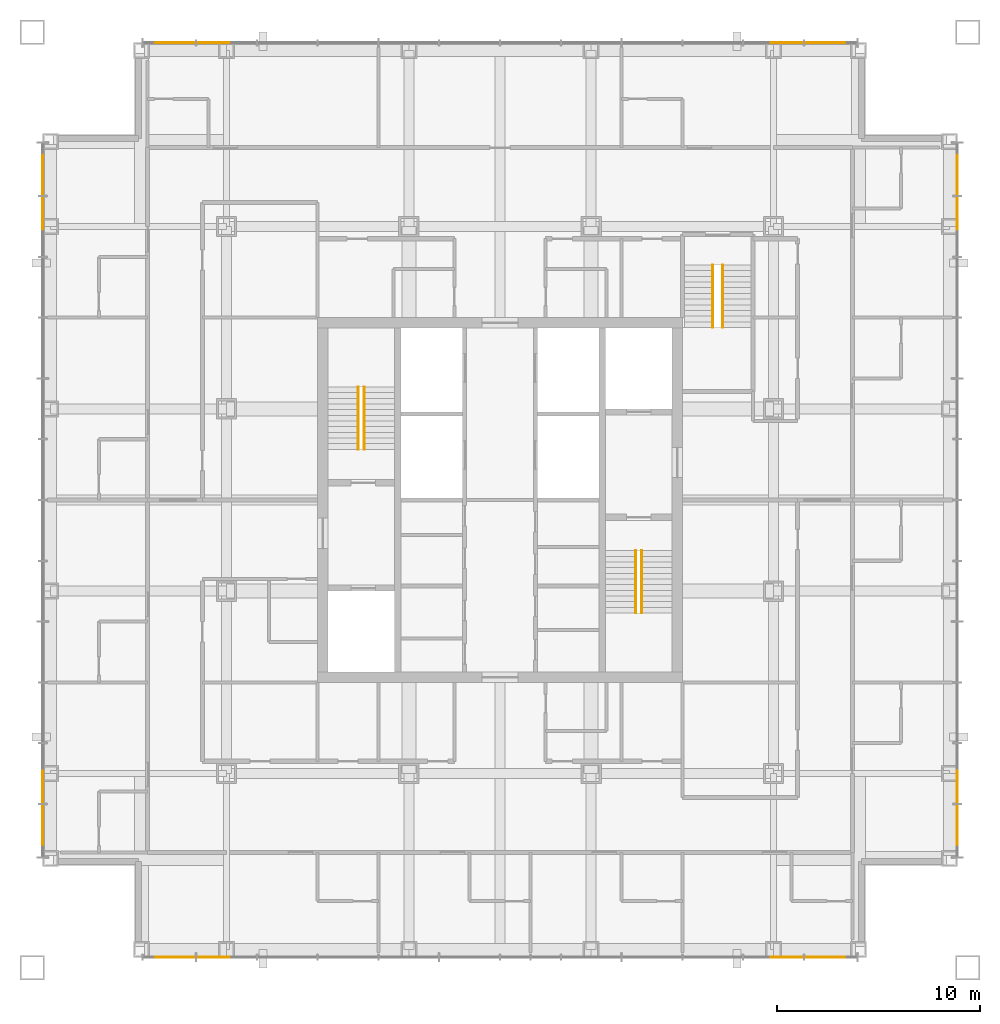
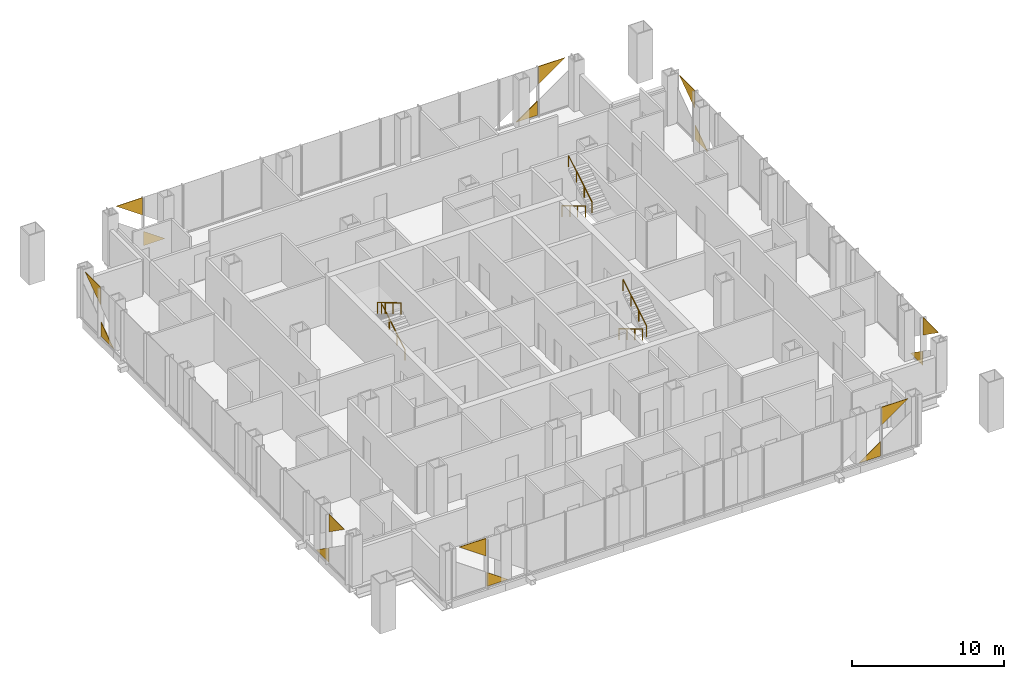
# One storey, part 11 of 11: 16 coverings, 6 railings.
"""IFC4 building model written with IfcOpenShell, lengths in metres."""

from ifc_helpers import new_model, si_unit, direction, frame, origin, origin_2d, place, context, subcontext, project, spatial, polyline, circle, outline, extrude, material, layer, layer_set, type_object, element, save


model = new_model("IFC4")

# Units and contexts
model_context = context("Model", 3, precision=1e-05, world=origin(), true_north=direction((0.0, 1.0)))
body_context = subcontext(model_context, "Body", "Model", "MODEL_VIEW")
ifc_project = project(units=[si_unit("LENGTHUNIT", "METRE"), si_unit("AREAUNIT", "SQUARE_METRE"), si_unit("VOLUMEUNIT", "CUBIC_METRE"), si_unit("PLANEANGLEUNIT", "RADIAN"), si_unit("MASSUNIT", "GRAM", prefix="KILO")], contexts=[model_context])

# Site, building, storey
site_placement = place(None, origin())
site = spatial("IfcSite", under=ifc_project, at=site_placement, CompositionType="ELEMENT")
building_placement = place(site_placement, origin())
building = spatial("IfcBuilding", under=site, at=building_placement, Name="Malebo Sky Hospital", CompositionType="ELEMENT")
storey_placement = place(building_placement, frame((0.0, 0.0, 201.0)))
storey = spatial("IfcBuildingStorey", under=building, at=storey_placement, Name="L48", CompositionType="ELEMENT", Elevation=201.0)

# Coverings
ifc_material_1 = material(Name="Anodised aluminium, natural silver insulated infill panel", Category="aluminium")
ifc_layer = layer(ifc_material_1, 0.0400390625)
ifc_layer_set = layer_set([ifc_layer], Name="BRACE INFILL PANEL 40")
covering_type = type_object("IfcCoveringType", Name="BRACE INFILL PANEL 40", PredefinedType="CLADDING", material=ifc_layer_set)
covering_1_placement = place(storey_placement, frame((43.958251953125, 84.574951171875, 2.5791015625), z_axis=(0.0, 0.0, 1.0), x_axis=(1.0, 0.0, 0.0)))
element("IfcCovering", 1, at=covering_1_placement, inside=storey, type_object=covering_type, Name="Brace infill panel 1.1", PredefinedType="CLADDING", context=body_context, shape_type="SweptSolid", body=[
    extrude(outline(polyline([(1.004150390625, 0.0), (1.004150390625, 1.410888671875), (-1.00439453125, 1.410888671875), (1.004150390625, 0.0)])), frame((0.0, 0.02001953125, 0.0), z_axis=(0.0, -1.0, 0.0), x_axis=(1.0, 0.0, 0.0)), (0.0, 0.0, 1.0), 0.0400390625),
])
covering_2_placement = place(storey_placement, frame((45.8505859375, 84.574951171875, 0.10009765625), z_axis=(0.0, 0.0, 1.0), x_axis=(1.0, 0.0, 0.0)))
element("IfcCovering", 2, at=covering_2_placement, inside=storey, type_object=covering_type, Name="Brace infill panel 2.1", PredefinedType="CLADDING", context=body_context, shape_type="SweptSolid", body=[
    extrude(outline(polyline([(-0.81298828125, 0.0), (0.81298828125, 0.0), (-0.81298828125, 1.14208984375), (-0.81298828125, 0.0)])), frame((0.0, 0.02001953125, 0.0), z_axis=(0.0, -1.0, 0.0), x_axis=(1.0, 0.0, 0.0)), (0.0, 0.0, 1.0), 0.0400390625),
])
covering_3_placement = place(storey_placement, frame((74.1494140625, 84.574951171875, 0.10009765625), z_axis=(0.0, 0.0, 1.0), x_axis=(1.0, 0.0, 0.0)))
element("IfcCovering", 3, at=covering_3_placement, inside=storey, type_object=covering_type, Name="Brace infill panel 11.1", PredefinedType="CLADDING", context=body_context, shape_type="SweptSolid", body=[
    extrude(outline(polyline([(-0.81298828125, 0.0), (0.81298828125, 0.0), (0.81298828125, 1.14208984375), (-0.81298828125, 0.0)])), frame((0.0, 0.02001953125, 0.0), z_axis=(0.0, -1.0, 0.0), x_axis=(1.0, 0.0, 0.0)), (0.0, 0.0, 1.0), 0.0400390625),
])
covering_4_placement = place(storey_placement, frame((76.041748046875, 84.574951171875, 2.5791015625), z_axis=(0.0, 0.0, 1.0), x_axis=(1.0, 0.0, 0.0)))
element("IfcCovering", 4, at=covering_4_placement, inside=storey, type_object=covering_type, Name="Brace infill panel 12.1", PredefinedType="CLADDING", context=body_context, shape_type="SweptSolid", body=[
    extrude(outline(polyline([(-1.004150390625, 0.0), (1.00439453125, 1.410888671875), (-1.004150390625, 1.410888671875), (-1.004150390625, 0.0)])), frame((0.0, 0.02001953125, 0.0), z_axis=(0.0, -1.0, 0.0), x_axis=(1.0, 0.0, 0.0)), (0.0, 0.0, 1.0), 0.0400390625),
])
covering_5_placement = place(storey_placement, frame((37.425048828125, 45.958251953125, 2.5791015625), z_axis=(0.0, 0.0, 1.0), x_axis=(0.0, 1.0, 0.0)))
element("IfcCovering", 5, at=covering_5_placement, inside=storey, type_object=covering_type, Name="Brace infill panel 1.1", PredefinedType="CLADDING", context=body_context, shape_type="SweptSolid", body=[
    extrude(outline(polyline([(1.004150390625, 0.0), (1.004150390625, 1.410888671875), (-1.00439453125, 1.410888671875), (1.004150390625, 0.0)])), frame((0.0, 0.02001953125, 0.0), z_axis=(0.0, -1.0, 0.0), x_axis=(1.0, 0.0, 0.0)), (0.0, 0.0, 1.0), 0.0400390625),
])
covering_6_placement = place(storey_placement, frame((37.425048828125, 47.8505859375, 0.10009765625), z_axis=(0.0, 0.0, 1.0), x_axis=(0.0, 1.0, 0.0)))
element("IfcCovering", 6, at=covering_6_placement, inside=storey, type_object=covering_type, Name="Brace infill panel 2.1", PredefinedType="CLADDING", context=body_context, shape_type="SweptSolid", body=[
    extrude(outline(polyline([(-0.81298828125, 0.0), (0.81298828125, 0.0), (-0.81298828125, 1.14208984375), (-0.81298828125, 0.0)])), frame((0.0, 0.02001953125, 0.0), z_axis=(0.0, -1.0, 0.0), x_axis=(1.0, 0.0, 0.0)), (0.0, 0.0, 1.0), 0.0400390625),
])
covering_7_placement = place(storey_placement, frame((37.425048828125, 76.1494140625, 0.10009765625), z_axis=(0.0, 0.0, 1.0), x_axis=(0.0, 1.0, 0.0)))
element("IfcCovering", 7, at=covering_7_placement, inside=storey, type_object=covering_type, Name="Brace infill panel 11.1", PredefinedType="CLADDING", context=body_context, shape_type="SweptSolid", body=[
    extrude(outline(polyline([(-0.81298828125, 0.0), (0.81298828125, 0.0), (0.81298828125, 1.14208984375), (-0.81298828125, 0.0)])), frame((0.0, 0.02001953125, 0.0), z_axis=(0.0, -1.0, 0.0), x_axis=(1.0, 0.0, 0.0)), (0.0, 0.0, 1.0), 0.0400390625),
])
covering_8_placement = place(storey_placement, frame((37.425048828125, 78.041748046875, 2.5791015625), z_axis=(0.0, 0.0, 1.0), x_axis=(0.0, 1.0, 0.0)))
element("IfcCovering", 8, at=covering_8_placement, inside=storey, type_object=covering_type, Name="Brace infill panel 12.1", PredefinedType="CLADDING", context=body_context, shape_type="SweptSolid", body=[
    extrude(outline(polyline([(-1.004150390625, 0.0), (1.00439453125, 1.410888671875), (-1.004150390625, 1.410888671875), (-1.004150390625, 0.0)])), frame((0.0, 0.02001953125, 0.0), z_axis=(0.0, -1.0, 0.0), x_axis=(1.0, 0.0, 0.0)), (0.0, 0.0, 1.0), 0.0400390625),
])
covering_9_placement = place(storey_placement, frame((76.041748046875, 39.425048828125, 2.5791015625), z_axis=(0.0, 0.0, 1.0), x_axis=(-1.0, 0.0, 0.0)))
element("IfcCovering", 9, at=covering_9_placement, inside=storey, type_object=covering_type, Name="Brace infill panel 1.1", PredefinedType="CLADDING", context=body_context, shape_type="SweptSolid", body=[
    extrude(outline(polyline([(1.004150390625, 0.0), (1.004150390625, 1.410888671875), (-1.00439453125, 1.410888671875), (1.004150390625, 0.0)])), frame((0.0, 0.02001953125, 0.0), z_axis=(0.0, -1.0, 0.0), x_axis=(1.0, 0.0, 0.0)), (0.0, 0.0, 1.0), 0.0400390625),
])
covering_10_placement = place(storey_placement, frame((74.1494140625, 39.425048828125, 0.10009765625), z_axis=(0.0, 0.0, 1.0), x_axis=(-1.0, 0.0, 0.0)))
element("IfcCovering", 10, at=covering_10_placement, inside=storey, type_object=covering_type, Name="Brace infill panel 2.1", PredefinedType="CLADDING", context=body_context, shape_type="SweptSolid", body=[
    extrude(outline(polyline([(-0.81298828125, 0.0), (0.81298828125, 0.0), (-0.81298828125, 1.14208984375), (-0.81298828125, 0.0)])), frame((0.0, 0.02001953125, 0.0), z_axis=(0.0, -1.0, 0.0), x_axis=(1.0, 0.0, 0.0)), (0.0, 0.0, 1.0), 0.0400390625),
])
covering_11_placement = place(storey_placement, frame((45.8505859375, 39.425048828125, 0.10009765625), z_axis=(0.0, 0.0, 1.0), x_axis=(-1.0, 0.0, 0.0)))
element("IfcCovering", 11, at=covering_11_placement, inside=storey, type_object=covering_type, Name="Brace infill panel 12.1", PredefinedType="CLADDING", context=body_context, shape_type="SweptSolid", body=[
    extrude(outline(polyline([(-0.81298828125, 0.0), (0.81298828125, 0.0), (0.81298828125, 1.14208984375), (-0.81298828125, 0.0)])), frame((0.0, 0.02001953125, 0.0), z_axis=(0.0, -1.0, 0.0), x_axis=(1.0, 0.0, 0.0)), (0.0, 0.0, 1.0), 0.0400390625),
])
covering_12_placement = place(storey_placement, frame((43.958251953125, 39.425048828125, 2.5791015625), z_axis=(0.0, 0.0, 1.0), x_axis=(-1.0, 0.0, 0.0)))
element("IfcCovering", 12, at=covering_12_placement, inside=storey, type_object=covering_type, Name="Brace infill panel 13.1", PredefinedType="CLADDING", context=body_context, shape_type="SweptSolid", body=[
    extrude(outline(polyline([(-1.004150390625, 0.0), (1.00439453125, 1.410888671875), (-1.004150390625, 1.410888671875), (-1.004150390625, 0.0)])), frame((0.0, 0.02001953125, 0.0), z_axis=(0.0, -1.0, 0.0), x_axis=(1.0, 0.0, 0.0)), (0.0, 0.0, 1.0), 0.0400390625),
])
covering_13_placement = place(storey_placement, frame((82.574951171875, 78.041748046875, 2.5791015625), z_axis=(0.0, 0.0, 1.0), x_axis=(0.0, -1.0, 0.0)))
element("IfcCovering", 13, at=covering_13_placement, inside=storey, type_object=covering_type, Name="Brace infill panel 1.1", PredefinedType="CLADDING", context=body_context, shape_type="SweptSolid", body=[
    extrude(outline(polyline([(1.004150390625, 0.0), (1.004150390625, 1.410888671875), (-1.00439453125, 1.410888671875), (1.004150390625, 0.0)])), frame((0.0, 0.02001953125, 0.0), z_axis=(0.0, -1.0, 0.0), x_axis=(1.0, 0.0, 0.0)), (0.0, 0.0, 1.0), 0.0400390625),
])
covering_14_placement = place(storey_placement, frame((82.574951171875, 76.1494140625, 0.10009765625), z_axis=(0.0, 0.0, 1.0), x_axis=(0.0, -1.0, 0.0)))
element("IfcCovering", 14, at=covering_14_placement, inside=storey, type_object=covering_type, Name="Brace infill panel 2.1", PredefinedType="CLADDING", context=body_context, shape_type="SweptSolid", body=[
    extrude(outline(polyline([(-0.81298828125, 0.0), (0.81298828125, 0.0), (-0.81298828125, 1.14208984375), (-0.81298828125, 0.0)])), frame((0.0, 0.02001953125, 0.0), z_axis=(0.0, -1.0, 0.0), x_axis=(1.0, 0.0, 0.0)), (0.0, 0.0, 1.0), 0.0400390625),
])
covering_15_placement = place(storey_placement, frame((82.574951171875, 47.8505859375, 0.10009765625), z_axis=(0.0, 0.0, 1.0), x_axis=(0.0, -1.0, 0.0)))
element("IfcCovering", 15, at=covering_15_placement, inside=storey, type_object=covering_type, Name="Brace infill panel 11.1", PredefinedType="CLADDING", context=body_context, shape_type="SweptSolid", body=[
    extrude(outline(polyline([(-0.81298828125, 0.0), (0.81298828125, 0.0), (0.81298828125, 1.14208984375), (-0.81298828125, 0.0)])), frame((0.0, 0.02001953125, 0.0), z_axis=(0.0, -1.0, 0.0), x_axis=(1.0, 0.0, 0.0)), (0.0, 0.0, 1.0), 0.0400390625),
])
covering_16_placement = place(storey_placement, frame((82.574951171875, 45.958251953125, 2.5791015625), z_axis=(0.0, 0.0, 1.0), x_axis=(0.0, -1.0, 0.0)))
element("IfcCovering", 16, at=covering_16_placement, inside=storey, type_object=covering_type, Name="Brace infill panel 12.1", PredefinedType="CLADDING", context=body_context, shape_type="SweptSolid", body=[
    extrude(outline(polyline([(-1.004150390625, 0.0), (1.00439453125, 1.410888671875), (-1.004150390625, 1.410888671875), (-1.004150390625, 0.0)])), frame((0.0, 0.02001953125, 0.0), z_axis=(0.0, -1.0, 0.0), x_axis=(1.0, 0.0, 0.0)), (0.0, 0.0, 1.0), 0.0400390625),
])

# Railings
ifc_material_2 = material(Name="Stainless steel tube", Category="steel")
railing_type = type_object("IfcRailingType", Name="STAIR HANDRAIL 900", PredefinedType="HANDRAIL", material=ifc_material_2)
railing_1_placement = place(storey_placement, frame((53.300048828125, 64.5, 0.166748046875)))
element("IfcRailing", 17, at=railing_1_placement, inside=storey, type_object=railing_type, Name="Stair handrail S1 flight 1", PredefinedType="HANDRAIL", context=body_context, shape_type="SweptSolid", body=[
    extrude(circle(Radius=0.02392578125, at=origin_2d()), frame((0.0, 0.0, 0.8759765625), z_axis=(0.0, 0.859308565015, 0.511457515432), x_axis=(-1.0, 0.0, 0.0)), (0.0, 0.0, 1.0), 3.58447265625),
    extrude(circle(Radius=0.02099609375, at=origin_2d()), origin(), (0.0, 0.0, 1.0), 0.851806640625),
    extrude(circle(Radius=0.02099609375, at=origin_2d()), frame((0.0, 1.026611328125, 0.611083984375)), (0.0, 0.0, 1.0), 0.851806640625),
    extrude(circle(Radius=0.02099609375, at=origin_2d()), frame((0.0, 2.053466796875, 1.22216796875)), (0.0, 0.0, 1.0), 0.851806640625),
    extrude(circle(Radius=0.02099609375, at=origin_2d()), frame((0.0, 3.080078125, 1.833251953125)), (0.0, 0.0, 1.0), 0.851806640625),
])
for number, where, name in (
    (18, (53.0, 67.580078125, 2.166748046875), "Stair handrail S1 flight 2"),
    (19, (66.699951171875, 59.5, 0.166748046875), "Stair handrail S2 flight 1"),
):
    element("IfcRailing", number, at=place(storey_placement, frame(where)), inside=storey, type_object=railing_type, Name=name, PredefinedType="HANDRAIL", context=body_context, shape_type="SweptSolid", body=[
        extrude(circle(Radius=0.02392578125, at=origin_2d()), frame((0.0, 0.0, 0.8759765625), z_axis=(0.0, -0.859308565015, 0.511457515432), x_axis=(1.0, 0.0, 0.0)), (0.0, 0.0, 1.0), 3.58447265625),
        extrude(circle(Radius=0.02099609375, at=origin_2d()), origin(), (0.0, 0.0, 1.0), 0.851806640625),
        extrude(circle(Radius=0.02099609375, at=origin_2d()), frame((0.0, -1.026611328125, 0.611083984375)), (0.0, 0.0, 1.0), 0.851806640625),
        extrude(circle(Radius=0.02099609375, at=origin_2d()), frame((0.0, -2.053466796875, 1.22216796875)), (0.0, 0.0, 1.0), 0.851806640625),
        extrude(circle(Radius=0.02099609375, at=origin_2d()), frame((0.0, -3.080078125, 1.833251953125)), (0.0, 0.0, 1.0), 0.851806640625),
    ])
railing_2_placement = place(storey_placement, frame((67.0, 56.419921875, 2.166748046875)))
element("IfcRailing", 20, at=railing_2_placement, inside=storey, type_object=railing_type, Name="Stair handrail S2 flight 2", PredefinedType="HANDRAIL", context=body_context, shape_type="SweptSolid", body=[
    extrude(circle(Radius=0.02392578125, at=origin_2d()), frame((0.0, 0.0, 0.8759765625), z_axis=(0.0, 0.859308565015, 0.511457515432), x_axis=(-1.0, 0.0, 0.0)), (0.0, 0.0, 1.0), 3.58447265625),
    extrude(circle(Radius=0.02099609375, at=origin_2d()), origin(), (0.0, 0.0, 1.0), 0.851806640625),
    extrude(circle(Radius=0.02099609375, at=origin_2d()), frame((0.0, 1.026611328125, 0.611083984375)), (0.0, 0.0, 1.0), 0.851806640625),
    extrude(circle(Radius=0.02099609375, at=origin_2d()), frame((0.0, 2.053466796875, 1.22216796875)), (0.0, 0.0, 1.0), 0.851806640625),
    extrude(circle(Radius=0.02099609375, at=origin_2d()), frame((0.0, 3.080078125, 1.833251953125)), (0.0, 0.0, 1.0), 0.851806640625),
])
railing_3_placement = place(storey_placement, frame((70.5, 73.60009765625, 0.166748046875)))
element("IfcRailing", 21, at=railing_3_placement, inside=storey, type_object=railing_type, Name="Stair handrail S3 flight 1", PredefinedType="HANDRAIL", context=body_context, shape_type="SweptSolid", body=[
    extrude(circle(Radius=0.02392578125, at=origin_2d()), frame((0.0, 0.0, 0.8759765625), z_axis=(0.0, -0.859308565015, 0.511457515432), x_axis=(1.0, 0.0, 0.0)), (0.0, 0.0, 1.0), 3.58447265625),
    extrude(circle(Radius=0.02099609375, at=origin_2d()), origin(), (0.0, 0.0, 1.0), 0.851806640625),
    extrude(circle(Radius=0.02099609375, at=origin_2d()), frame((0.0, -1.026611328125, 0.611083984375)), (0.0, 0.0, 1.0), 0.851806640625),
    extrude(circle(Radius=0.02099609375, at=origin_2d()), frame((0.0, -2.053466796875, 1.22216796875)), (0.0, 0.0, 1.0), 0.851806640625),
    extrude(circle(Radius=0.02099609375, at=origin_2d()), frame((0.0, -3.080078125, 1.833251953125)), (0.0, 0.0, 1.0), 0.851806640625),
])
railing_4_placement = place(storey_placement, frame((71.0, 70.52001953125, 2.166748046875)))
element("IfcRailing", 22, at=railing_4_placement, inside=storey, type_object=railing_type, Name="Stair handrail S3 flight 2", PredefinedType="HANDRAIL", context=body_context, shape_type="SweptSolid", body=[
    extrude(circle(Radius=0.02392578125, at=origin_2d()), frame((0.0, 0.0, 0.8759765625), z_axis=(0.0, 0.859308565015, 0.511457515432), x_axis=(-1.0, 0.0, 0.0)), (0.0, 0.0, 1.0), 3.58447265625),
    extrude(circle(Radius=0.02099609375, at=origin_2d()), origin(), (0.0, 0.0, 1.0), 0.851806640625),
    extrude(circle(Radius=0.02099609375, at=origin_2d()), frame((0.0, 1.026611328125, 0.611083984375)), (0.0, 0.0, 1.0), 0.851806640625),
    extrude(circle(Radius=0.02099609375, at=origin_2d()), frame((0.0, 2.053466796875, 1.22216796875)), (0.0, 0.0, 1.0), 0.851806640625),
    extrude(circle(Radius=0.02099609375, at=origin_2d()), frame((0.0, 3.080078125, 1.833251953125)), (0.0, 0.0, 1.0), 0.851806640625),
])

save(model, "model.ifc")
